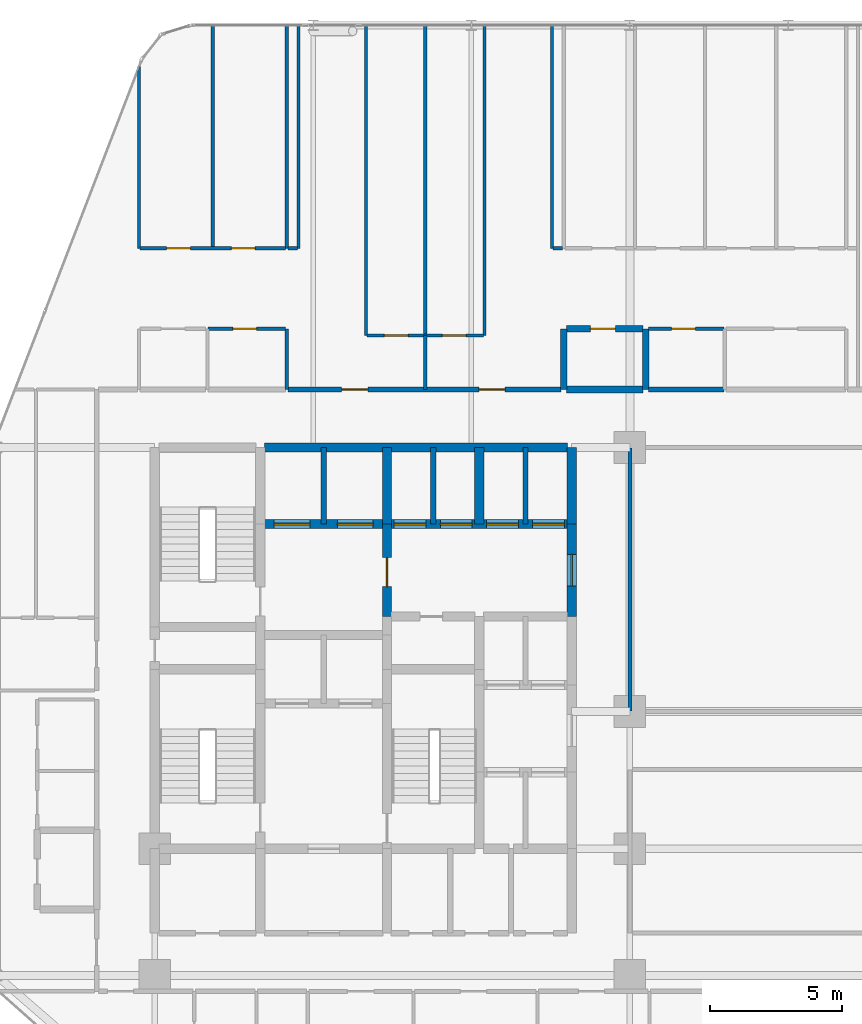
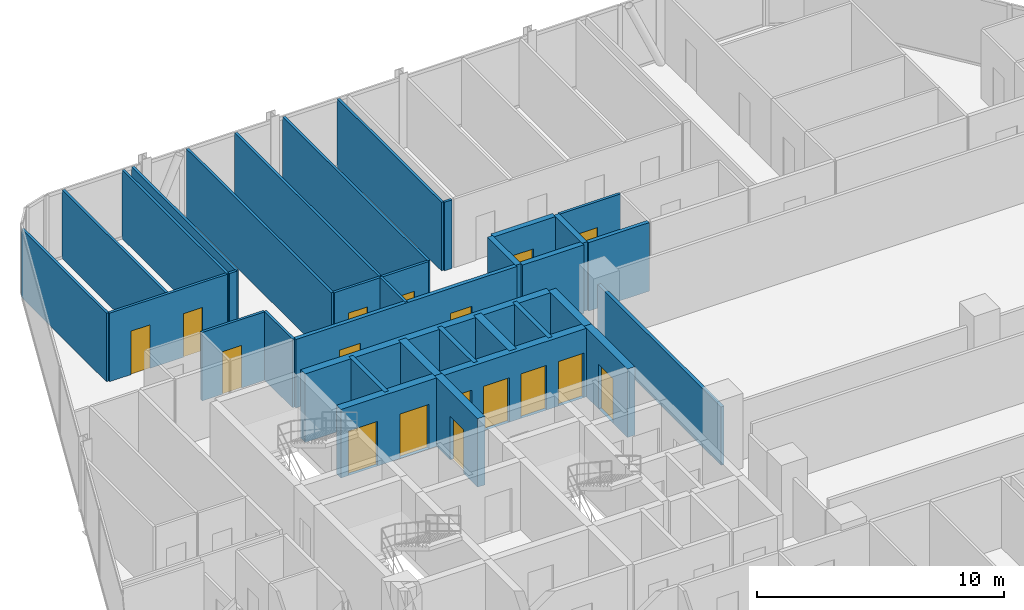
# One storey, part 30 of 33: 33 walls, 17 doors, 17 openings.
"""IFC4 building model written with IfcOpenShell, lengths in metres."""

from ifc_helpers import new_model, si_unit, direction, frame, frame_2d, origin, place, context, subcontext, project, spatial, rectangle, extrude, material, layer, layer_set, type_object, element, fill, save


model = new_model("IFC4")

# Units and contexts
model_context = context("Model", 3, precision=1e-05, world=origin(), true_north=direction((0.0, 1.0)))
body_context = subcontext(model_context, "Body", "Model", "MODEL_VIEW")
ifc_project = project(units=[si_unit("LENGTHUNIT", "METRE"), si_unit("AREAUNIT", "SQUARE_METRE"), si_unit("VOLUMEUNIT", "CUBIC_METRE"), si_unit("PLANEANGLEUNIT", "RADIAN"), si_unit("MASSUNIT", "GRAM", prefix="KILO")], contexts=[model_context])

# Site, building, storey
site_placement = place(None, origin())
site = spatial("IfcSite", under=ifc_project, at=site_placement, CompositionType="ELEMENT")
building_placement = place(site_placement, origin())
building = spatial("IfcBuilding", under=site, at=building_placement, Name="Keshet Zoharim Tower", CompositionType="ELEMENT")
storey_placement = place(building_placement, frame((0.0, 0.0, 73.800048828125)))
storey = spatial("IfcBuildingStorey", under=building, at=storey_placement, Name="L17", CompositionType="ELEMENT", Elevation=73.800048828125)

# Wall
ifc_material_1 = material(Name="Gypsum Plasterboard", Category="gypsum")
ifc_layer_1 = layer(ifc_material_1, 0.14990234375)
ifc_layer_set_1 = layer_set([ifc_layer_1], Name="Gypsum Plasterboard")
wall_type_1 = type_object("IfcWallType", Name="WL-CLIN-150", PredefinedType="STANDARD", material=ifc_layer_set_1)
wall_1_placement = place(storey_placement, frame((33.0, 27.909912109375, 0.0), z_axis=(0.0, 0.0, 1.0), x_axis=(0.0, 1.0, 0.0)))
element("IfcWall", 1, at=wall_1_placement, inside=storey, type_object=wall_type_1, Name="L17 Interior Wall 070", PredefinedType="STANDARD", context=body_context, shape_type="SweptSolid", body=[
    extrude(rectangle(XDim=9.97998046875, YDim=0.14990234375, at=frame_2d((4.989990234375, 0.0))), origin(), (0.0, 0.0, 1.0), 2.885009765625),
])

# Wall, opening, door
ifc_material_2 = material(Name="Concrete C60/75", Category="concrete")
ifc_layer_2 = layer(ifc_material_2, 0.35009765625)
ifc_layer_set_2 = layer_set([ifc_layer_2], Name="Concrete C60/75")
wall_type_2 = type_object("IfcWallType", Name="WL-CORE-350", PredefinedType="SHEAR", material=ifc_layer_set_2)
wall_2_placement = place(storey_placement, frame((23.800048828125, 31.5, 0.0), z_axis=(0.0, 0.0, 1.0), x_axis=(0.0, 1.0, 0.0)))
wall_2 = element("IfcWall", 2, at=wall_2_placement, inside=storey, type_object=wall_type_2, Name="L17 Core Shear Wall 042", PredefinedType="SHEAR", context=body_context, shape_type="SweptSolid", body=[
    extrude(rectangle(XDim=3.5, YDim=0.35009765625, at=frame_2d((1.75, 0.0))), origin(), (0.0, 0.0, 1.0), 3.385009765625),
])
opening_1_placement = place(wall_2_placement, frame((1.126953125, 0.0, 0.0)))
opening_1 = element("IfcOpeningElement", 3, at=opening_1_placement, cuts=wall_2, Name="Opening D-F611", PredefinedType="OPENING", context=body_context, shape_type="SweptSolid", body=[
    extrude(rectangle(XDim=1.10009765625, YDim=2.14990234375, at=frame_2d((0.550048828125, 1.074951171875))), frame((0.0, 0.18505859375, 0.0), z_axis=(0.0, -1.0, 0.0), x_axis=(1.0, 0.0, 0.0)), (0.0, 0.0, 1.0), 0.3701171875),
])
ifc_material_3 = material(Name="Hardwood Timber", Category="wood")
door_type_1 = type_object("IfcDoorType", Name="DR-FD60-110", OperationType="NOTDEFINED", PredefinedType="DOOR", material=ifc_material_3)
door_1_placement = place(opening_1_placement, origin())
door_1 = element("IfcDoor", 4, at=door_1_placement, inside=storey, type_object=door_type_1, Name="L17 Firefighting Lobby Fire Door", OperationType="SINGLE_SWING_LEFT", OverallHeight=2.14990234375, OverallWidth=1.10009765625, PredefinedType="DOOR", context=body_context, shape_type="SweptSolid", body=[
    extrude(rectangle(XDim=1.10009765625, YDim=2.14990234375, at=frame_2d((0.550048828125, 1.074951171875))), frame((0.0, 0.02490234375, 0.0), z_axis=(0.0, -1.0, 0.0), x_axis=(1.0, 0.0, 0.0)), (0.0, 0.0, 1.0), 0.050048828125),
])
fill(opening_1, door_1)

# Walls
for number, where, z_axis, x_axis, name in (
    (5, (23.800048828125, 35.0, 0.0), (0.0, 0.0, 1.0), (0.0, 1.0, 0.0), "L17 Core Shear Wall 043"),
    (6, (27.300048828125, 35.0, 0.0), (0.0, 0.0, 1.0), (0.0, 1.0, 0.0), "L17 Core Shear Wall 053"),
):
    element("IfcWall", number, at=place(storey_placement, frame(where, z_axis=z_axis, x_axis=x_axis)), inside=storey, type_object=wall_type_2, Name=name, PredefinedType="SHEAR", context=body_context, shape_type="SweptSolid", body=[
        extrude(rectangle(XDim=2.89990234375, YDim=0.35009765625, at=frame_2d((1.449951171875, 0.0))), origin(), (0.0, 0.0, 1.0), 3.385009765625),
    ])

# Wall, opening, door
wall_3_placement = place(storey_placement, frame((30.800048828125, 31.5, 0.0), z_axis=(0.0, 0.0, 1.0), x_axis=(0.0, 1.0, 0.0)))
wall_3 = element("IfcWall", 7, at=wall_3_placement, inside=storey, type_object=wall_type_2, Name="L17 Core Shear Wall 067", PredefinedType="SHEAR", context=body_context, shape_type="SweptSolid", body=[
    extrude(rectangle(XDim=3.5, YDim=0.35009765625, at=frame_2d((1.75, 0.0))), origin(), (0.0, 0.0, 1.0), 3.385009765625),
])
opening_2_placement = place(wall_3_placement, frame((1.14990234375, 0.0, 0.0)))
opening_2 = element("IfcOpeningElement", 8, at=opening_2_placement, cuts=wall_3, Name="Opening D-F612", PredefinedType="OPENING", context=body_context, shape_type="SweptSolid", body=[
    extrude(rectangle(XDim=1.199951171875, YDim=2.199951171875, at=frame_2d((0.60009765625, 1.10009765625))), frame((0.0, 0.18505859375, 0.0), z_axis=(0.0, -1.0, 0.0), x_axis=(1.0, 0.0, 0.0)), (0.0, 0.0, 1.0), 0.3701171875),
])
door_type_2 = type_object("IfcDoorType", Name="DR-FD60-120", OperationType="NOTDEFINED", PredefinedType="DOOR", material=ifc_material_3)
door_2_placement = place(opening_2_placement, origin())
door_2 = element("IfcDoor", 9, at=door_2_placement, inside=storey, type_object=door_type_2, Name="L17 North Lift Lobby East Fire Door", OperationType="SINGLE_SWING_LEFT", OverallHeight=2.199951171875, OverallWidth=1.199951171875, PredefinedType="DOOR", context=body_context, shape_type="SweptSolid", body=[
    extrude(rectangle(XDim=1.199951171875, YDim=2.199951171875, at=frame_2d((0.60009765625, 1.10009765625))), frame((0.0, 0.02490234375, 0.0), z_axis=(0.0, -1.0, 0.0), x_axis=(1.0, 0.0, 0.0)), (0.0, 0.0, 1.0), 0.050048828125),
])
fill(opening_2, door_2)

# Wall
wall_4_placement = place(storey_placement, frame((30.800048828125, 35.0, 0.0), z_axis=(0.0, 0.0, 1.0), x_axis=(0.0, 1.0, 0.0)))
element("IfcWall", 10, at=wall_4_placement, inside=storey, type_object=wall_type_2, Name="L17 Core Shear Wall 068", PredefinedType="SHEAR", context=body_context, shape_type="SweptSolid", body=[
    extrude(rectangle(XDim=2.89990234375, YDim=0.35009765625, at=frame_2d((1.449951171875, 0.0))), origin(), (0.0, 0.0, 1.0), 3.385009765625),
])

# Wall, openings, doors
wall_5_placement = place(storey_placement, frame((19.159912109375, 35.0, 0.0), z_axis=(0.0, 0.0, 1.0), x_axis=(1.0, 0.0, 0.0)))
wall_5 = element("IfcWall", 11, at=wall_5_placement, inside=storey, type_object=wall_type_2, Name="L17 Core Shear Wall 185", PredefinedType="SHEAR", context=body_context, shape_type="SweptSolid", body=[
    extrude(rectangle(XDim=11.47998046875, YDim=0.35009765625, at=frame_2d((5.739990234375, 0.0))), origin(), (0.0, 0.0, 1.0), 3.385009765625),
])
opening_3_placement = place(wall_5_placement, frame((0.364990234375, 0.0, 0.0)))
opening_3 = element("IfcOpeningElement", 12, at=opening_3_placement, cuts=wall_5, Name="Opening LD-02", PredefinedType="OPENING", context=body_context, shape_type="SweptSolid", body=[
    extrude(rectangle(XDim=1.35009765625, YDim=2.199951171875, at=frame_2d((0.675048828125, 1.10009765625))), frame((0.0, 0.18505859375, 0.0), z_axis=(0.0, -1.0, 0.0), x_axis=(1.0, 0.0, 0.0)), (0.0, 0.0, 1.0), 0.3701171875),
])
opening_4_placement = place(wall_5_placement, frame((2.764892578125, 0.0, 0.0)))
opening_4 = element("IfcOpeningElement", 13, at=opening_4_placement, cuts=wall_5, Name="Opening LD-02", PredefinedType="OPENING", context=body_context, shape_type="SweptSolid", body=[
    extrude(rectangle(XDim=1.35009765625, YDim=2.199951171875, at=frame_2d((0.675048828125, 1.10009765625))), frame((0.0, 0.18505859375, 0.0), z_axis=(0.0, -1.0, 0.0), x_axis=(1.0, 0.0, 0.0)), (0.0, 0.0, 1.0), 0.3701171875),
])
opening_5_placement = place(wall_5_placement, frame((4.9150390625, 0.0, 0.0)))
opening_5 = element("IfcOpeningElement", 14, at=opening_5_placement, cuts=wall_5, Name="Opening LD-03", PredefinedType="OPENING", context=body_context, shape_type="SweptSolid", body=[
    extrude(rectangle(XDim=1.199951171875, YDim=2.199951171875, at=frame_2d((0.60009765625, 1.10009765625))), frame((0.0, 0.18505859375, 0.0), z_axis=(0.0, -1.0, 0.0), x_axis=(1.0, 0.0, 0.0)), (0.0, 0.0, 1.0), 0.3701171875),
])
opening_6_placement = place(wall_5_placement, frame((6.6650390625, 0.0, 0.0)))
opening_6 = element("IfcOpeningElement", 15, at=opening_6_placement, cuts=wall_5, Name="Opening LD-03", PredefinedType="OPENING", context=body_context, shape_type="SweptSolid", body=[
    extrude(rectangle(XDim=1.199951171875, YDim=2.199951171875, at=frame_2d((0.60009765625, 1.10009765625))), frame((0.0, 0.18505859375, 0.0), z_axis=(0.0, -1.0, 0.0), x_axis=(1.0, 0.0, 0.0)), (0.0, 0.0, 1.0), 0.3701171875),
])
opening_7_placement = place(wall_5_placement, frame((8.4150390625, 0.0, 0.0)))
opening_7 = element("IfcOpeningElement", 16, at=opening_7_placement, cuts=wall_5, Name="Opening LD-03", PredefinedType="OPENING", context=body_context, shape_type="SweptSolid", body=[
    extrude(rectangle(XDim=1.199951171875, YDim=2.199951171875, at=frame_2d((0.60009765625, 1.10009765625))), frame((0.0, 0.18505859375, 0.0), z_axis=(0.0, -1.0, 0.0), x_axis=(1.0, 0.0, 0.0)), (0.0, 0.0, 1.0), 0.3701171875),
])
opening_8_placement = place(wall_5_placement, frame((10.159912109375, 0.0, 0.0)))
opening_8 = element("IfcOpeningElement", 17, at=opening_8_placement, cuts=wall_5, Name="Opening LD-03", PredefinedType="OPENING", context=body_context, shape_type="SweptSolid", body=[
    extrude(rectangle(XDim=1.199951171875, YDim=2.199951171875, at=frame_2d((0.60009765625, 1.10009765625))), frame((0.0, 0.18505859375, 0.0), z_axis=(0.0, -1.0, 0.0), x_axis=(1.0, 0.0, 0.0)), (0.0, 0.0, 1.0), 0.3701171875),
])
ifc_material_4 = material(Name="Steel S355", Category="steel")
door_type_3 = type_object("IfcDoorType", Name="DR-LD02-135", OperationType="DOUBLE_DOOR_SLIDING", PredefinedType="DOOR", material=ifc_material_4)
door_3_placement = place(opening_3_placement, origin())
door_3 = element("IfcDoor", 18, at=door_3_placement, inside=storey, type_object=door_type_3, Name="L17 Firefighting Lift Landing Door FF-01", OperationType="DOUBLE_DOOR_SLIDING", OverallHeight=2.199951171875, OverallWidth=1.35009765625, PredefinedType="DOOR", context=body_context, shape_type="SweptSolid", body=[
    extrude(rectangle(XDim=1.35009765625, YDim=2.199951171875, at=frame_2d((0.675048828125, 1.10009765625))), frame((0.0, 0.02490234375, 0.0), z_axis=(0.0, -1.0, 0.0), x_axis=(1.0, 0.0, 0.0)), (0.0, 0.0, 1.0), 0.050048828125),
])
fill(opening_3, door_3)
door_4_placement = place(opening_4_placement, origin())
door_4 = element("IfcDoor", 19, at=door_4_placement, inside=storey, type_object=door_type_3, Name="L17 Firefighting Lift Landing Door FF-02", OperationType="DOUBLE_DOOR_SLIDING", OverallHeight=2.199951171875, OverallWidth=1.35009765625, PredefinedType="DOOR", context=body_context, shape_type="SweptSolid", body=[
    extrude(rectangle(XDim=1.35009765625, YDim=2.199951171875, at=frame_2d((0.675048828125, 1.10009765625))), frame((0.0, 0.02490234375, 0.0), z_axis=(0.0, -1.0, 0.0), x_axis=(1.0, 0.0, 0.0)), (0.0, 0.0, 1.0), 0.050048828125),
])
fill(opening_4, door_4)
door_type_4 = type_object("IfcDoorType", Name="DR-LD03-120", OperationType="DOUBLE_DOOR_SLIDING", PredefinedType="DOOR", material=ifc_material_4)
door_5_placement = place(opening_5_placement, origin())
door_5 = element("IfcDoor", 20, at=door_5_placement, inside=storey, type_object=door_type_4, Name="L17 Passenger Lift Landing Door LF-01", OperationType="DOUBLE_DOOR_SLIDING", OverallHeight=2.199951171875, OverallWidth=1.199951171875, PredefinedType="DOOR", context=body_context, shape_type="SweptSolid", body=[
    extrude(rectangle(XDim=1.199951171875, YDim=2.199951171875, at=frame_2d((0.60009765625, 1.10009765625))), frame((0.0, 0.02490234375, 0.0), z_axis=(0.0, -1.0, 0.0), x_axis=(1.0, 0.0, 0.0)), (0.0, 0.0, 1.0), 0.050048828125),
])
fill(opening_5, door_5)
door_6_placement = place(opening_6_placement, origin())
door_6 = element("IfcDoor", 21, at=door_6_placement, inside=storey, type_object=door_type_4, Name="L17 Passenger Lift Landing Door LF-02", OperationType="DOUBLE_DOOR_SLIDING", OverallHeight=2.199951171875, OverallWidth=1.199951171875, PredefinedType="DOOR", context=body_context, shape_type="SweptSolid", body=[
    extrude(rectangle(XDim=1.199951171875, YDim=2.199951171875, at=frame_2d((0.60009765625, 1.10009765625))), frame((0.0, 0.02490234375, 0.0), z_axis=(0.0, -1.0, 0.0), x_axis=(1.0, 0.0, 0.0)), (0.0, 0.0, 1.0), 0.050048828125),
])
fill(opening_6, door_6)
door_7_placement = place(opening_7_placement, origin())
door_7 = element("IfcDoor", 22, at=door_7_placement, inside=storey, type_object=door_type_4, Name="L17 Passenger Lift Landing Door LF-03", OperationType="DOUBLE_DOOR_SLIDING", OverallHeight=2.199951171875, OverallWidth=1.199951171875, PredefinedType="DOOR", context=body_context, shape_type="SweptSolid", body=[
    extrude(rectangle(XDim=1.199951171875, YDim=2.199951171875, at=frame_2d((0.60009765625, 1.10009765625))), frame((0.0, 0.02490234375, 0.0), z_axis=(0.0, -1.0, 0.0), x_axis=(1.0, 0.0, 0.0)), (0.0, 0.0, 1.0), 0.050048828125),
])
fill(opening_7, door_7)
door_8_placement = place(opening_8_placement, origin())
door_8 = element("IfcDoor", 23, at=door_8_placement, inside=storey, type_object=door_type_4, Name="L17 Passenger Lift Landing Door LF-04", OperationType="DOUBLE_DOOR_SLIDING", OverallHeight=2.199951171875, OverallWidth=1.199951171875, PredefinedType="DOOR", context=body_context, shape_type="SweptSolid", body=[
    extrude(rectangle(XDim=1.199951171875, YDim=2.199951171875, at=frame_2d((0.60009765625, 1.10009765625))), frame((0.0, 0.02490234375, 0.0), z_axis=(0.0, -1.0, 0.0), x_axis=(1.0, 0.0, 0.0)), (0.0, 0.0, 1.0), 0.050048828125),
])
fill(opening_8, door_8)

# Wall
wall_6_placement = place(storey_placement, frame((19.159912109375, 37.89990234375, 0.0), z_axis=(0.0, 0.0, 1.0), x_axis=(1.0, 0.0, 0.0)))
element("IfcWall", 24, at=wall_6_placement, inside=storey, type_object=wall_type_2, Name="L17 Core Shear Wall 187", PredefinedType="SHEAR", context=body_context, shape_type="SweptSolid", body=[
    extrude(rectangle(XDim=11.47998046875, YDim=0.35009765625, at=frame_2d((5.739990234375, 0.0))), origin(), (0.0, 0.0, 1.0), 3.385009765625),
])

# Wall, openings, doors
ifc_layer_3 = layer(ifc_material_1, 0.179931640625)
ifc_layer_set_3 = layer_set([ifc_layer_3], Name="Gypsum Plasterboard")
wall_type_3 = type_object("IfcWallType", Name="WL-CORR-180", PredefinedType="STANDARD", material=ifc_layer_set_3)
wall_7_placement = place(storey_placement, frame((20.044921875, 40.10009765625, 0.0), z_axis=(0.0, 0.0, 1.0), x_axis=(1.0, 0.0, 0.0)))
wall_7 = element("IfcWall", 25, at=wall_7_placement, inside=storey, type_object=wall_type_3, Name="L17 Interior Wall 194", PredefinedType="STANDARD", context=body_context, shape_type="SweptSolid", body=[
    extrude(rectangle(XDim=10.344970703125, YDim=0.179931640625, at=frame_2d((5.17236328125, 0.0))), origin(), (0.0, 0.0, 1.0), 3.385009765625),
])
opening_9_placement = place(wall_7_placement, frame((2.034912109375, 0.0, 0.0)))
opening_9 = element("IfcOpeningElement", 26, at=opening_9_placement, cuts=wall_7, Name="Opening D-F310", PredefinedType="OPENING", context=body_context, shape_type="SweptSolid", body=[
    extrude(rectangle(XDim=1.0, YDim=2.14990234375, at=frame_2d((0.5, 1.074951171875))), frame((0.0, 0.10009765625, 0.0), z_axis=(0.0, -1.0, 0.0), x_axis=(1.0, 0.0, 0.0)), (0.0, 0.0, 1.0), 0.199951171875),
])
opening_10_placement = place(wall_7_placement, frame((7.235107421875, 0.0, 0.0)))
opening_10 = element("IfcOpeningElement", 27, at=opening_10_placement, cuts=wall_7, Name="Opening D-F310", PredefinedType="OPENING", context=body_context, shape_type="SweptSolid", body=[
    extrude(rectangle(XDim=1.0, YDim=2.14990234375, at=frame_2d((0.5, 1.074951171875))), frame((0.0, 0.10009765625, 0.0), z_axis=(0.0, -1.0, 0.0), x_axis=(1.0, 0.0, 0.0)), (0.0, 0.0, 1.0), 0.199951171875),
])
door_type_5 = type_object("IfcDoorType", Name="DR-FD30-100", OperationType="NOTDEFINED", PredefinedType="DOOR", material=ifc_material_3)
door_9_placement = place(opening_9_placement, origin())
door_9 = element("IfcDoor", 28, at=door_9_placement, inside=storey, type_object=door_type_5, Name="Apartment 1706 Entrance Door", OperationType="SINGLE_SWING_LEFT", OverallHeight=2.14990234375, OverallWidth=1.0, PredefinedType="DOOR", context=body_context, shape_type="SweptSolid", body=[
    extrude(rectangle(XDim=1.0, YDim=2.14990234375, at=frame_2d((0.5, 1.074951171875))), frame((0.0, 0.02490234375, 0.0), z_axis=(0.0, -1.0, 0.0), x_axis=(1.0, 0.0, 0.0)), (0.0, 0.0, 1.0), 0.050048828125),
])
fill(opening_9, door_9)
door_10_placement = place(opening_10_placement, origin())
door_10 = element("IfcDoor", 29, at=door_10_placement, inside=storey, type_object=door_type_5, Name="Apartment 1707 Entrance Door", OperationType="SINGLE_SWING_RIGHT", OverallHeight=2.14990234375, OverallWidth=1.0, PredefinedType="DOOR", context=body_context, shape_type="SweptSolid", body=[
    extrude(rectangle(XDim=1.0, YDim=2.14990234375, at=frame_2d((0.5, 1.074951171875))), frame((0.0, 0.02490234375, 0.0), z_axis=(0.0, -1.0, 0.0), x_axis=(1.0, 0.0, 0.0)), (0.0, 0.0, 1.0), 0.050048828125),
])
fill(opening_10, door_10)

# Walls
wall_8_placement = place(storey_placement, frame((33.716064453125, 40.10009765625, 0.0), z_axis=(0.0, 0.0, 1.0), x_axis=(1.0, 0.0, 0.0)))
element("IfcWall", 30, at=wall_8_placement, inside=storey, type_object=wall_type_3, Name="L17 Interior Wall 196", PredefinedType="STANDARD", context=body_context, shape_type="SweptSolid", body=[
    extrude(rectangle(XDim=2.843994140625, YDim=0.179931640625, at=frame_2d((1.421875, 0.0))), origin(), (0.0, 0.0, 1.0), 3.385009765625),
])
ifc_material_5 = material(Name="Concrete C50/60", Category="concrete")
ifc_layer_4 = layer(ifc_material_5, 0.199951171875)
ifc_layer_set_4 = layer_set([ifc_layer_4], Name="Concrete C50/60")
wall_type_4 = type_object("IfcWallType", Name="WL-FIRE-200", PredefinedType="STANDARD", material=ifc_layer_set_4)
for number, where, z_axis, x_axis, name in (
    (31, (21.39990234375, 35.0, 0.0), (0.0, 0.0, 1.0), (0.0, 1.0, 0.0), "L17 Interior Wall 035"),
    (32, (25.550048828125, 35.0, 0.0), (0.0, 0.0, 1.0), (0.0, 1.0, 0.0), "L17 Interior Wall 047"),
    (33, (29.050048828125, 35.0, 0.0), (0.0, 0.0, 1.0), (0.0, 1.0, 0.0), "L17 Interior Wall 058"),
):
    element("IfcWall", number, at=place(storey_placement, frame(where, z_axis=z_axis, x_axis=x_axis)), inside=storey, type_object=wall_type_4, Name=name, PredefinedType="STANDARD", context=body_context, shape_type="SweptSolid", body=[
        extrude(rectangle(XDim=2.89990234375, YDim=0.199951171875, at=frame_2d((1.449951171875, 0.0))), origin(), (0.0, 0.0, 1.0), 3.385009765625),
    ])
ifc_layer_5 = layer(ifc_material_5, 0.25)
ifc_layer_set_5 = layer_set([ifc_layer_5], Name="Concrete C50/60")
wall_type_5 = type_object("IfcWallType", Name="WL-MAMAD-250", PredefinedType="STANDARD", material=ifc_layer_set_5)
for number, where, z_axis, x_axis, name in (
    (34, (30.5, 40.10009765625, 0.0), (0.0, 0.0, 1.0), (0.0, 1.0, 0.0), "L17 Interior Wall 061"),
    (35, (33.60009765625, 40.10009765625, 0.0), (0.0, 0.0, 1.0), (0.0, 1.0, 0.0), "L17 Interior Wall 073"),
):
    element("IfcWall", number, at=place(storey_placement, frame(where, z_axis=z_axis, x_axis=x_axis)), inside=storey, type_object=wall_type_5, Name=name, PredefinedType="STANDARD", context=body_context, shape_type="SweptSolid", body=[
        extrude(rectangle(XDim=2.2998046875, YDim=0.25, at=frame_2d((1.14990234375, 0.0))), origin(), (0.0, 0.0, 1.0), 3.385009765625),
    ])
wall_9_placement = place(storey_placement, frame((30.610107421875, 40.10009765625, 0.0), z_axis=(0.0, 0.0, 1.0), x_axis=(1.0, 0.0, 0.0)))
element("IfcWall", 36, at=wall_9_placement, inside=storey, type_object=wall_type_5, Name="L17 Interior Wall 195", PredefinedType="STANDARD", context=body_context, shape_type="SweptSolid", body=[
    extrude(rectangle(XDim=2.885986328125, YDim=0.25, at=frame_2d((1.44287109375, 0.0))), origin(), (0.0, 0.0, 1.0), 3.385009765625),
])

# Wall, opening, door
wall_10_placement = place(storey_placement, frame((30.610107421875, 42.39990234375, 0.0), z_axis=(0.0, 0.0, 1.0), x_axis=(1.0, 0.0, 0.0)))
wall_10 = element("IfcWall", 37, at=wall_10_placement, inside=storey, type_object=wall_type_5, Name="L17 Interior Wall 207", PredefinedType="STANDARD", context=body_context, shape_type="SweptSolid", body=[
    extrude(rectangle(XDim=2.885986328125, YDim=0.25, at=frame_2d((1.44287109375, 0.0))), origin(), (0.0, 0.0, 1.0), 3.385009765625),
])
opening_11_placement = place(wall_10_placement, frame((0.89404296875, 0.0, 0.0)))
opening_11 = element("IfcOpeningElement", 38, at=opening_11_placement, cuts=wall_10, Name="Opening D-F695", PredefinedType="OPENING", context=body_context, shape_type="SweptSolid", body=[
    extrude(rectangle(XDim=0.949951171875, YDim=2.14990234375, at=frame_2d((0.47509765625, 1.074951171875))), frame((0.0, 0.135009765625, 0.0), z_axis=(0.0, -1.0, 0.0), x_axis=(1.0, 0.0, 0.0)), (0.0, 0.0, 1.0), 0.27001953125),
])
door_type_6 = type_object("IfcDoorType", Name="DR-FD60-095", OperationType="NOTDEFINED", PredefinedType="DOOR", material=ifc_material_3)
door_11_placement = place(opening_11_placement, origin())
door_11 = element("IfcDoor", 39, at=door_11_placement, inside=storey, type_object=door_type_6, Name="Apartment 1707 Study and Shelter Room Door", OperationType="SINGLE_SWING_LEFT", OverallHeight=2.14990234375, OverallWidth=0.949951171875, PredefinedType="DOOR", context=body_context, shape_type="SweptSolid", body=[
    extrude(rectangle(XDim=0.949951171875, YDim=2.14990234375, at=frame_2d((0.47509765625, 1.074951171875))), frame((0.0, 0.02490234375, 0.0), z_axis=(0.0, -1.0, 0.0), x_axis=(1.0, 0.0, 0.0)), (0.0, 0.0, 1.0), 0.050048828125),
])
fill(opening_11, door_11)

# Walls
ifc_layer_6 = layer(ifc_material_1, 0.1201171875)
ifc_layer_set_6 = layer_set([ifc_layer_6], Name="Gypsum Plasterboard")
wall_type_6 = type_object("IfcWallType", Name="WL-PART-120", PredefinedType="PARTITIONING", material=ifc_layer_set_6)
wall_11_placement = place(storey_placement, frame((14.39990234375, 45.449951171875, 0.0), z_axis=(0.0, 0.0, 1.0), x_axis=(0.0, 1.0, 0.0)))
element("IfcWall", 40, at=wall_11_placement, inside=storey, type_object=wall_type_6, Name="L17 Interior Wall 014", PredefinedType="PARTITIONING", context=body_context, shape_type="SweptSolid", body=[
    extrude(rectangle(XDim=6.880126953125, YDim=0.1201171875, at=frame_2d((3.43994140625, 0.0))), origin(), (0.0, 0.0, 1.0), 3.385009765625),
])
for number, where, z_axis, x_axis, name in (
    (41, (17.199951171875, 45.449951171875, 0.0), (0.0, 0.0, 1.0), (0.0, 1.0, 0.0), "L17 Interior Wall 022"),
    (42, (20.0, 45.449951171875, 0.0), (0.0, 0.0, 1.0), (0.0, 1.0, 0.0), "L17 Interior Wall 031"),
    (43, (20.449951171875, 45.449951171875, 0.0), (0.0, 0.0, 1.0), (0.0, 1.0, 0.0), "L17 Interior Wall 032"),
):
    element("IfcWall", number, at=place(storey_placement, frame(where, z_axis=z_axis, x_axis=x_axis)), inside=storey, type_object=wall_type_6, Name=name, PredefinedType="PARTITIONING", context=body_context, shape_type="SweptSolid", body=[
        extrude(rectangle(XDim=8.43994140625, YDim=0.1201171875, at=frame_2d((4.219970703125, 0.0))), origin(), (0.0, 0.0, 1.0), 3.385009765625),
    ])
wall_12_placement = place(storey_placement, frame((23.0, 42.14990234375, 0.0), z_axis=(0.0, 0.0, 1.0), x_axis=(0.0, 1.0, 0.0)))
element("IfcWall", 44, at=wall_12_placement, inside=storey, type_object=wall_type_6, Name="L17 Interior Wall 036", PredefinedType="PARTITIONING", context=body_context, shape_type="SweptSolid", body=[
    extrude(rectangle(XDim=11.739990234375, YDim=0.1201171875, at=frame_2d((5.8701171875, 0.0))), origin(), (0.0, 0.0, 1.0), 3.385009765625),
])
wall_13_placement = place(storey_placement, frame((25.25, 40.10009765625, 0.0), z_axis=(0.0, 0.0, 1.0), x_axis=(0.0, 1.0, 0.0)))
element("IfcWall", 45, at=wall_13_placement, inside=storey, type_object=wall_type_6, Name="L17 Interior Wall 045", PredefinedType="PARTITIONING", context=body_context, shape_type="SweptSolid", body=[
    extrude(rectangle(XDim=2.0498046875, YDim=0.1201171875, at=frame_2d((1.02490234375, 0.0))), origin(), (0.0, 0.0, 1.0), 3.385009765625),
])
for number, where, z_axis, x_axis, name in (
    (46, (25.25, 42.14990234375, 0.0), (0.0, 0.0, 1.0), (0.0, 1.0, 0.0), "L17 Interior Wall 046"),
    (47, (27.5, 42.14990234375, 0.0), (0.0, 0.0, 1.0), (0.0, 1.0, 0.0), "L17 Interior Wall 054"),
):
    element("IfcWall", number, at=place(storey_placement, frame(where, z_axis=z_axis, x_axis=x_axis)), inside=storey, type_object=wall_type_6, Name=name, PredefinedType="PARTITIONING", context=body_context, shape_type="SweptSolid", body=[
        extrude(rectangle(XDim=11.739990234375, YDim=0.1201171875, at=frame_2d((5.8701171875, 0.0))), origin(), (0.0, 0.0, 1.0), 3.385009765625),
    ])
wall_14_placement = place(storey_placement, frame((30.050048828125, 45.449951171875, 0.0), z_axis=(0.0, 0.0, 1.0), x_axis=(0.0, 1.0, 0.0)))
element("IfcWall", 48, at=wall_14_placement, inside=storey, type_object=wall_type_6, Name="L17 Interior Wall 060", PredefinedType="PARTITIONING", context=body_context, shape_type="SweptSolid", body=[
    extrude(rectangle(XDim=8.43994140625, YDim=0.1201171875, at=frame_2d((4.219970703125, 0.0))), origin(), (0.0, 0.0, 1.0), 3.385009765625),
])

# Wall, openings, doors
wall_15_placement = place(storey_placement, frame((23.044921875, 42.14990234375, 0.0), z_axis=(0.0, 0.0, 1.0), x_axis=(1.0, 0.0, 0.0)))
wall_15 = element("IfcWall", 49, at=wall_15_placement, inside=storey, type_object=wall_type_6, Name="L17 Interior Wall 204", PredefinedType="PARTITIONING", context=body_context, shape_type="SweptSolid", body=[
    extrude(rectangle(XDim=4.41015625, YDim=0.1201171875, at=frame_2d((2.205078125, 0.0))), origin(), (0.0, 0.0, 1.0), 3.385009765625),
])
opening_12_placement = place(wall_15_placement, frame((0.655029296875, 0.0, 0.0)))
opening_12 = element("IfcOpeningElement", 50, at=opening_12_placement, cuts=wall_15, Name="Opening D-IN90", PredefinedType="OPENING", context=body_context, shape_type="SweptSolid", body=[
    extrude(rectangle(XDim=0.89990234375, YDim=2.14990234375, at=frame_2d((0.449951171875, 1.074951171875))), frame((0.0, 0.070068359375, 0.0), z_axis=(0.0, -1.0, 0.0), x_axis=(1.0, 0.0, 0.0)), (0.0, 0.0, 1.0), 0.14013671875),
])
opening_13_placement = place(wall_15_placement, frame((2.85498046875, 0.0, 0.0)))
opening_13 = element("IfcOpeningElement", 51, at=opening_13_placement, cuts=wall_15, Name="Opening D-IN90", PredefinedType="OPENING", context=body_context, shape_type="SweptSolid", body=[
    extrude(rectangle(XDim=0.89990234375, YDim=2.14990234375, at=frame_2d((0.449951171875, 1.074951171875))), frame((0.0, 0.070068359375, 0.0), z_axis=(0.0, -1.0, 0.0), x_axis=(1.0, 0.0, 0.0)), (0.0, 0.0, 1.0), 0.14013671875),
])
door_type_7 = type_object("IfcDoorType", Name="DR-INT-090", OperationType="NOTDEFINED", PredefinedType="DOOR", material=ifc_material_3)
door_12_placement = place(opening_12_placement, origin())
door_12 = element("IfcDoor", 52, at=door_12_placement, inside=storey, type_object=door_type_7, Name="Apartment 1706 Formal Dining Room Door", OperationType="SINGLE_SWING_LEFT", OverallHeight=2.14990234375, OverallWidth=0.89990234375, PredefinedType="DOOR", context=body_context, shape_type="SweptSolid", body=[
    extrude(rectangle(XDim=0.89990234375, YDim=2.14990234375, at=frame_2d((0.449951171875, 1.074951171875))), frame((0.0, 0.02490234375, 0.0), z_axis=(0.0, -1.0, 0.0), x_axis=(1.0, 0.0, 0.0)), (0.0, 0.0, 1.0), 0.050048828125),
])
fill(opening_12, door_12)
door_13_placement = place(opening_13_placement, origin())
door_13 = element("IfcDoor", 53, at=door_13_placement, inside=storey, type_object=door_type_7, Name="Apartment 1707 Formal Dining Room Door", OperationType="SINGLE_SWING_RIGHT", OverallHeight=2.14990234375, OverallWidth=0.89990234375, PredefinedType="DOOR", context=body_context, shape_type="SweptSolid", body=[
    extrude(rectangle(XDim=0.89990234375, YDim=2.14990234375, at=frame_2d((0.449951171875, 1.074951171875))), frame((0.0, 0.02490234375, 0.0), z_axis=(0.0, -1.0, 0.0), x_axis=(1.0, 0.0, 0.0)), (0.0, 0.0, 1.0), 0.050048828125),
])
fill(opening_13, door_13)

wall_16_placement = place(storey_placement, frame((14.445068359375, 45.449951171875, 0.0), z_axis=(0.0, 0.0, 1.0), x_axis=(1.0, 0.0, 0.0)))
wall_16 = element("IfcWall", 54, at=wall_16_placement, inside=storey, type_object=wall_type_6, Name="L17 Interior Wall 214", PredefinedType="PARTITIONING", context=body_context, shape_type="SweptSolid", body=[
    extrude(rectangle(XDim=5.510009765625, YDim=0.1201171875, at=frame_2d((2.7548828125, 0.0))), origin(), (0.0, 0.0, 1.0), 3.385009765625),
])
opening_14_placement = place(wall_16_placement, frame((1.006103515625, 0.0, 0.0)))
opening_14 = element("IfcOpeningElement", 55, at=opening_14_placement, cuts=wall_16, Name="Opening D-IN90", PredefinedType="OPENING", context=body_context, shape_type="SweptSolid", body=[
    extrude(rectangle(XDim=0.89990234375, YDim=2.14990234375, at=frame_2d((0.449951171875, 1.074951171875))), frame((0.0, 0.070068359375, 0.0), z_axis=(0.0, -1.0, 0.0), x_axis=(1.0, 0.0, 0.0)), (0.0, 0.0, 1.0), 0.14013671875),
])
opening_15_placement = place(wall_16_placement, frame((3.4560546875, 0.0, 0.0)))
opening_15 = element("IfcOpeningElement", 56, at=opening_15_placement, cuts=wall_16, Name="Opening D-IN90", PredefinedType="OPENING", context=body_context, shape_type="SweptSolid", body=[
    extrude(rectangle(XDim=0.89990234375, YDim=2.14990234375, at=frame_2d((0.449951171875, 1.074951171875))), frame((0.0, 0.070068359375, 0.0), z_axis=(0.0, -1.0, 0.0), x_axis=(1.0, 0.0, 0.0)), (0.0, 0.0, 1.0), 0.14013671875),
])
door_14_placement = place(opening_14_placement, origin())
door_14 = element("IfcDoor", 57, at=door_14_placement, inside=storey, type_object=door_type_7, Name="Apartment 1706 Bedroom 1 Door", OperationType="SINGLE_SWING_RIGHT", OverallHeight=2.14990234375, OverallWidth=0.89990234375, PredefinedType="DOOR", context=body_context, shape_type="SweptSolid", body=[
    extrude(rectangle(XDim=0.89990234375, YDim=2.14990234375, at=frame_2d((0.449951171875, 1.074951171875))), frame((0.0, 0.02490234375, 0.0), z_axis=(0.0, -1.0, 0.0), x_axis=(1.0, 0.0, 0.0)), (0.0, 0.0, 1.0), 0.050048828125),
])
fill(opening_14, door_14)
door_15_placement = place(opening_15_placement, origin())
door_15 = element("IfcDoor", 58, at=door_15_placement, inside=storey, type_object=door_type_7, Name="Apartment 1706 Bedroom 2 Door", OperationType="SINGLE_SWING_LEFT", OverallHeight=2.14990234375, OverallWidth=0.89990234375, PredefinedType="DOOR", context=body_context, shape_type="SweptSolid", body=[
    extrude(rectangle(XDim=0.89990234375, YDim=2.14990234375, at=frame_2d((0.449951171875, 1.074951171875))), frame((0.0, 0.02490234375, 0.0), z_axis=(0.0, -1.0, 0.0), x_axis=(1.0, 0.0, 0.0)), (0.0, 0.0, 1.0), 0.050048828125),
])
fill(opening_15, door_15)

# Walls
for number, where, z_axis, x_axis, name in (
    (59, (20.044921875, 45.449951171875, 0.0), (0.0, 0.0, 1.0), (1.0, 0.0, 0.0), "L17 Interior Wall 215"),
    (60, (30.094970703125, 45.449951171875, 0.0), (0.0, 0.0, 1.0), (1.0, 0.0, 0.0), "L17 Interior Wall 216"),
):
    element("IfcWall", number, at=place(storey_placement, frame(where, z_axis=z_axis, x_axis=x_axis)), inside=storey, type_object=wall_type_6, Name=name, PredefinedType="PARTITIONING", context=body_context, shape_type="SweptSolid", body=[
        extrude(rectangle(XDim=0.360107421875, YDim=0.1201171875, at=frame_2d((0.18017578125, 0.0))), origin(), (0.0, 0.0, 1.0), 3.385009765625),
    ])
ifc_layer_7 = layer(ifc_material_1, 0.1201171875)
ifc_layer_set_7 = layer_set([ifc_layer_7], Name="Gypsum Plasterboard")
wall_type_7 = type_object("IfcWallType", Name="WL-WET-120", PredefinedType="PARTITIONING", material=ifc_layer_set_7)
wall_17_placement = place(storey_placement, frame((20.0, 40.10009765625, 0.0), z_axis=(0.0, 0.0, 1.0), x_axis=(0.0, 1.0, 0.0)))
element("IfcWall", 61, at=wall_17_placement, inside=storey, type_object=wall_type_7, Name="L17 Interior Wall 030", PredefinedType="PARTITIONING", context=body_context, shape_type="SweptSolid", body=[
    extrude(rectangle(XDim=2.2998046875, YDim=0.1201171875, at=frame_2d((1.14990234375, 0.0))), origin(), (0.0, 0.0, 1.0), 3.385009765625),
])

# Wall, opening, door
wall_18_placement = place(storey_placement, frame((17.02099609375, 42.39990234375, 0.0), z_axis=(0.0, 0.0, 1.0), x_axis=(1.0, 0.0, 0.0)))
wall_18 = element("IfcWall", 62, at=wall_18_placement, inside=storey, type_object=wall_type_7, Name="L17 Interior Wall 206", PredefinedType="PARTITIONING", context=body_context, shape_type="SweptSolid", body=[
    extrude(rectangle(XDim=2.93408203125, YDim=0.1201171875, at=frame_2d((1.467041015625, 0.0))), origin(), (0.0, 0.0, 1.0), 3.385009765625),
])
opening_16_placement = place(wall_18_placement, frame((0.944091796875, 0.0, 0.0)))
opening_16 = element("IfcOpeningElement", 63, at=opening_16_placement, cuts=wall_18, Name="Opening D-WT90", PredefinedType="OPENING", context=body_context, shape_type="SweptSolid", body=[
    extrude(rectangle(XDim=0.89990234375, YDim=2.10009765625, at=frame_2d((0.449951171875, 1.050048828125))), frame((0.0, 0.070068359375, 0.0), z_axis=(0.0, -1.0, 0.0), x_axis=(1.0, 0.0, 0.0)), (0.0, 0.0, 1.0), 0.14013671875),
])
door_type_8 = type_object("IfcDoorType", Name="DR-WET-090", OperationType="NOTDEFINED", PredefinedType="DOOR", material=ifc_material_3)
door_16_placement = place(opening_16_placement, origin())
door_16 = element("IfcDoor", 64, at=door_16_placement, inside=storey, type_object=door_type_8, Name="Apartment 1706 Bathroom Door", OperationType="SINGLE_SWING_RIGHT", OverallHeight=2.10009765625, OverallWidth=0.89990234375, PredefinedType="DOOR", context=body_context, shape_type="SweptSolid", body=[
    extrude(rectangle(XDim=0.89990234375, YDim=2.10009765625, at=frame_2d((0.449951171875, 1.050048828125))), frame((0.0, 0.02490234375, 0.0), z_axis=(0.0, -1.0, 0.0), x_axis=(1.0, 0.0, 0.0)), (0.0, 0.0, 1.0), 0.050048828125),
])
fill(opening_16, door_16)

wall_19_placement = place(storey_placement, frame((33.716064453125, 42.39990234375, 0.0), z_axis=(0.0, 0.0, 1.0), x_axis=(1.0, 0.0, 0.0)))
wall_19 = element("IfcWall", 65, at=wall_19_placement, inside=storey, type_object=wall_type_7, Name="L17 Interior Wall 208", PredefinedType="PARTITIONING", context=body_context, shape_type="SweptSolid", body=[
    extrude(rectangle(XDim=2.843994140625, YDim=0.1201171875, at=frame_2d((1.421875, 0.0))), origin(), (0.0, 0.0, 1.0), 3.385009765625),
])
opening_17_placement = place(wall_19_placement, frame((0.866943359375, 0.0, 0.0)))
opening_17 = element("IfcOpeningElement", 66, at=opening_17_placement, cuts=wall_19, Name="Opening D-WT90", PredefinedType="OPENING", context=body_context, shape_type="SweptSolid", body=[
    extrude(rectangle(XDim=0.89990234375, YDim=2.10009765625, at=frame_2d((0.449951171875, 1.050048828125))), frame((0.0, 0.070068359375, 0.0), z_axis=(0.0, -1.0, 0.0), x_axis=(1.0, 0.0, 0.0)), (0.0, 0.0, 1.0), 0.14013671875),
])
door_17_placement = place(opening_17_placement, origin())
door_17 = element("IfcDoor", 67, at=door_17_placement, inside=storey, type_object=door_type_8, Name="Apartment 1707 Bathroom Door", OperationType="SINGLE_SWING_RIGHT", OverallHeight=2.10009765625, OverallWidth=0.89990234375, PredefinedType="DOOR", context=body_context, shape_type="SweptSolid", body=[
    extrude(rectangle(XDim=0.89990234375, YDim=2.10009765625, at=frame_2d((0.449951171875, 1.050048828125))), frame((0.0, 0.02490234375, 0.0), z_axis=(0.0, -1.0, 0.0), x_axis=(1.0, 0.0, 0.0)), (0.0, 0.0, 1.0), 0.050048828125),
])
fill(opening_17, door_17)

save(model, "model.ifc")
